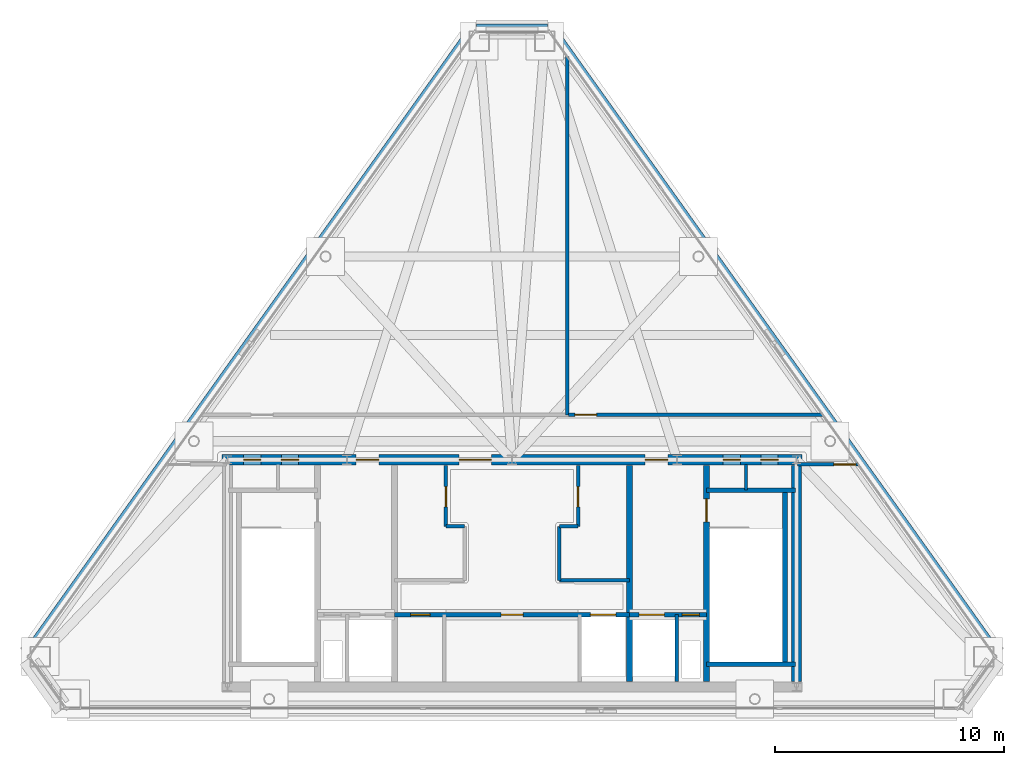
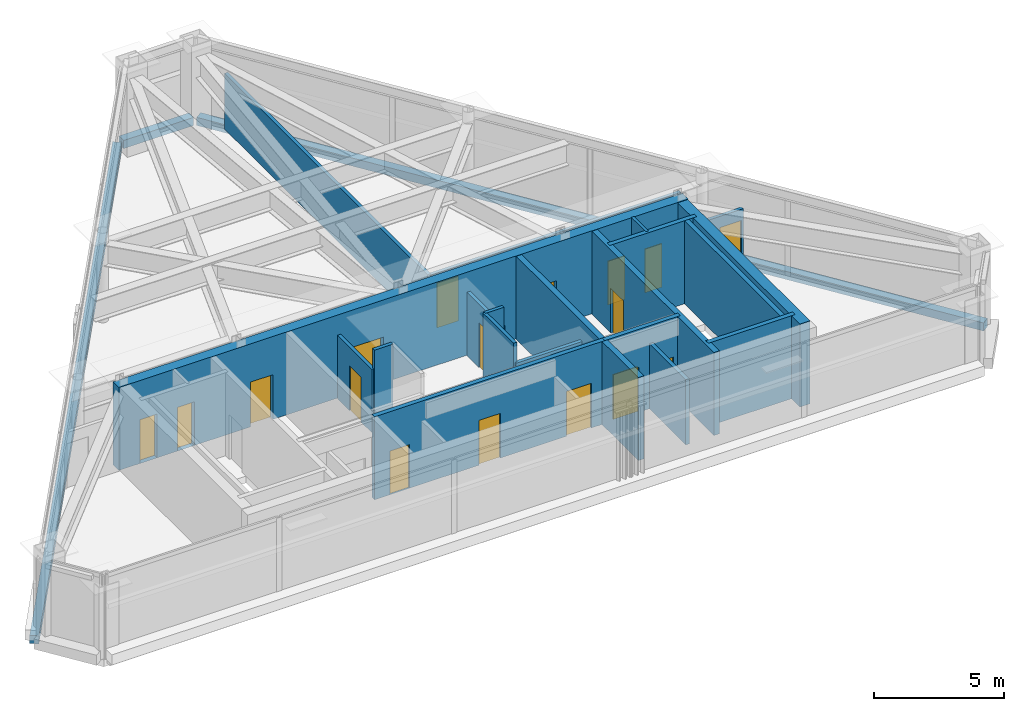
# One storey, part 5 of 7: 23 walls, 17 doors, 17 openings.
"""IFC4 building model written with IfcOpenShell, lengths in metres."""

from ifc_helpers import new_model, si_unit, direction, frame, frame_2d, origin, place, context, subcontext, project, spatial, rectangle, extrude, material, layer, layer_set, type_object, element, fill, save


model = new_model("IFC4")

# Units and contexts
model_context = context("Model", 3, precision=1e-05, world=origin(), true_north=direction((0.0, 1.0)))
body_context = subcontext(model_context, "Body", "Model", "MODEL_VIEW")
ifc_project = project(units=[si_unit("LENGTHUNIT", "METRE"), si_unit("AREAUNIT", "SQUARE_METRE"), si_unit("VOLUMEUNIT", "CUBIC_METRE"), si_unit("PLANEANGLEUNIT", "RADIAN"), si_unit("MASSUNIT", "GRAM", prefix="KILO")], contexts=[model_context])

# Site, building, storey
site_placement = place(None, origin())
site = spatial("IfcSite", under=ifc_project, at=site_placement, CompositionType="ELEMENT")
building_placement = place(site_placement, origin())
building = spatial("IfcBuilding", under=site, at=building_placement, Name="Talgorran Terracotta Tower", CompositionType="ELEMENT")
storey_placement = place(building_placement, frame((0.0, 0.0, 306.0)))
storey = spatial("IfcBuildingStorey", under=building, at=storey_placement, Name="L80", CompositionType="ELEMENT", Elevation=306.0)

# Walls
ifc_material_1 = material(Name="Concrete C50/60", Category="concrete")
ifc_layer_1 = layer(ifc_material_1, 0.199951171875, Name="WT_CORE_200")
ifc_layer_set_1 = layer_set([ifc_layer_1], Name="Concrete C50/60")
wall_type_1 = type_object("IfcWallType", Name="WT_CORE_200", PredefinedType="SOLIDWALL", material=ifc_layer_set_1)
for number, where, z_axis, x_axis, name in (
    (1, (8.47998046875, -5.52001953125, 0.0), (0.0, 0.0, 1.0), (1.0, 0.0, 0.0), "WL-L80-CW-ST2-N"),
    (2, (8.47998046875, -13.10009765625, 0.0), (0.0, 0.0, 1.0), (1.0, 0.0, 0.0), "WL-L80-CW-ST2-S"),
):
    element("IfcWall", number, at=place(storey_placement, frame(where, z_axis=z_axis, x_axis=x_axis)), inside=storey, type_object=wall_type_1, Name=name, PredefinedType="SOLIDWALL", context=body_context, shape_type="SweptSolid", body=[
        extrude(rectangle(XDim=3.8701171875, YDim=0.199951171875, at=frame_2d((1.93505859375, 0.0))), origin(), (0.0, 0.0, 1.0), 3.89990234375),
    ])
wall_1_placement = place(storey_placement, frame((11.89990234375, -13.10009765625, 0.0), z_axis=(0.0, 0.0, 1.0), x_axis=(0.0, 1.0, 0.0)))
element("IfcWall", 3, at=wall_1_placement, inside=storey, type_object=wall_type_1, Name="WL-L80-CW-ST2-E", PredefinedType="SOLIDWALL", context=body_context, shape_type="SweptSolid", body=[
    extrude(rectangle(XDim=7.580078125, YDim=0.199951171875, at=frame_2d((3.7900390625, 0.0))), origin(), (0.0, 0.0, 1.0), 3.89990234375),
])

# Wall, openings, doors
wall_2_placement = place(storey_placement, frame((-5.1201171875, -10.949951171875, 0.0), z_axis=(0.0, 0.0, 1.0), x_axis=(1.0, 0.0, 0.0)))
wall_2 = element("IfcWall", 4, at=wall_2_placement, inside=storey, type_object=wall_type_1, Name="WL-L80-CW-H-SBC", PredefinedType="SOLIDWALL", context=body_context, shape_type="SweptSolid", body=[
    extrude(rectangle(XDim=10.240234375, YDim=0.199951171875, at=frame_2d((5.1201171875, 0.0))), origin(), (0.0, 0.0, 1.0), 3.89990234375),
])
opening_1_placement = place(wall_2_placement, frame((0.699951171875, 0.0, 0.0)))
opening_1 = element("IfcOpeningElement", 5, at=opening_1_placement, cuts=wall_2, Name="Opening DR-CRTEL", PredefinedType="OPENING", context=body_context, shape_type="SweptSolid", body=[
    extrude(rectangle(XDim=0.85609765625, YDim=2.054048828125, at=frame_2d((0.425048828125, 1.027099609375))), frame((0.0, 0.10986328125, 0.0), z_axis=(0.0, -1.0, 0.0), x_axis=(1.0, 0.0, 0.0)), (0.0, 0.0, 1.0), 0.219970703125),
])
opening_2_placement = place(wall_2_placement, frame((4.64990234375, 0.0, 0.0)))
opening_2 = element("IfcOpeningElement", 6, at=opening_2_placement, cuts=wall_2, Name="Opening DR-FRPLH", PredefinedType="OPENING", context=body_context, shape_type="SweptSolid", body=[
    extrude(rectangle(XDim=0.955951171875, YDim=2.10409765625, at=frame_2d((0.47509765625, 1.052001953125))), frame((0.0, 0.10986328125, 0.0), z_axis=(0.0, -1.0, 0.0), x_axis=(1.0, 0.0, 0.0)), (0.0, 0.0, 1.0), 0.219970703125),
])
opening_3_placement = place(wall_2_placement, frame((8.5400390625, 0.0, 0.0)))
opening_3 = element("IfcOpeningElement", 7, at=opening_3_placement, cuts=wall_2, Name="Opening LD-SVL1", PredefinedType="OPENING", context=body_context, shape_type="SweptSolid", body=[
    extrude(rectangle(XDim=1.10609765625, YDim=2.10409765625, at=frame_2d((0.550048828125, 1.052001953125))), frame((0.0, 0.10986328125, 0.0), z_axis=(0.0, -1.0, 0.0), x_axis=(1.0, 0.0, 0.0)), (0.0, 0.0, 1.0), 0.219970703125),
])
ifc_material_2 = material(Name="Fire-Rated Pressed Steel", Category="steel")
door_type_1 = type_object("IfcDoorType", Name="DT_FIRE_850", OperationType="NOTDEFINED", PredefinedType="DOOR", material=ifc_material_2)
door_1_placement = place(opening_1_placement, origin())
door_1 = element("IfcDoor", 8, at=door_1_placement, inside=storey, type_object=door_type_1, Name="DR-CRTEL", OperationType="SINGLE_SWING_LEFT", OverallHeight=2.050048828125, OverallWidth=0.85009765625, PredefinedType="DOOR", context=body_context, shape_type="SweptSolid", body=[
    extrude(rectangle(XDim=0.85009765625, YDim=2.050048828125, at=frame_2d((0.425048828125, 1.02490234375))), frame((0.0, 0.02490234375, 0.0), z_axis=(0.0, -1.0, 0.0), x_axis=(1.0, 0.0, 0.0)), (0.0, 0.0, 1.0), 0.050048828125),
])
fill(opening_1, door_1)
ifc_material_3 = material(Name="Fire-Rated Timber Core", Category="wood")
door_type_2 = type_object("IfcDoorType", Name="DT_FIRE_950", OperationType="NOTDEFINED", PredefinedType="DOOR", material=ifc_material_3)
door_2_placement = place(opening_2_placement, origin())
door_2 = element("IfcDoor", 9, at=door_2_placement, inside=storey, type_object=door_type_2, Name="DR-FRPLH", OperationType="SINGLE_SWING_RIGHT", OverallHeight=2.10009765625, OverallWidth=0.949951171875, PredefinedType="DOOR", context=body_context, shape_type="SweptSolid", body=[
    extrude(rectangle(XDim=0.949951171875, YDim=2.10009765625, at=frame_2d((0.47509765625, 1.050048828125))), frame((0.0, 0.02490234375, 0.0), z_axis=(0.0, -1.0, 0.0), x_axis=(1.0, 0.0, 0.0)), (0.0, 0.0, 1.0), 0.050048828125),
])
fill(opening_2, door_2)
ifc_material_4 = material(Name="Brushed Stainless Steel Grade 304", Category="steel")
door_type_3 = type_object("IfcDoorType", Name="DT_LIFT_LD1100", OperationType="DOUBLE_DOOR_SLIDING", PredefinedType="DOOR", material=ifc_material_4)
door_3_placement = place(opening_3_placement, origin())
door_3 = element("IfcDoor", 10, at=door_3_placement, inside=storey, type_object=door_type_3, Name="L80 Lift Landing Door LD-SVL1", OperationType="DOUBLE_DOOR_SLIDING", OverallHeight=2.10009765625, OverallWidth=1.10009765625, PredefinedType="DOOR", context=body_context, shape_type="SweptSolid", body=[
    extrude(rectangle(XDim=1.10009765625, YDim=2.10009765625, at=frame_2d((0.550048828125, 1.050048828125))), frame((0.0, 0.02490234375, 0.0), z_axis=(0.0, -1.0, 0.0), x_axis=(1.0, 0.0, 0.0)), (0.0, 0.0, 1.0), 0.050048828125),
])
fill(opening_3, door_3)

wall_3_placement = place(storey_placement, frame((5.1201171875, -10.949951171875, 0.0), z_axis=(0.0, 0.0, 1.0), x_axis=(1.0, 0.0, 0.0)))
wall_3 = element("IfcWall", 11, at=wall_3_placement, inside=storey, type_object=wall_type_1, Name="WL-L80-CW-H-SBE", PredefinedType="SOLIDWALL", context=body_context, shape_type="SweptSolid", body=[
    extrude(rectangle(XDim=3.35986328125, YDim=0.199951171875, at=frame_2d((1.679931640625, 0.0))), origin(), (0.0, 0.0, 1.0), 3.89990234375),
])
opening_4_placement = place(wall_3_placement, frame((0.419921875, 0.0, 0.0)))
opening_4 = element("IfcOpeningElement", 12, at=opening_4_placement, cuts=wall_3, Name="Opening LD-FFL2", PredefinedType="OPENING", context=body_context, shape_type="SweptSolid", body=[
    extrude(rectangle(XDim=1.10609765625, YDim=2.10409765625, at=frame_2d((0.550048828125, 1.052001953125))), frame((0.0, 0.10986328125, 0.0), z_axis=(0.0, -1.0, 0.0), x_axis=(1.0, 0.0, 0.0)), (0.0, 0.0, 1.0), 0.219970703125),
])
opening_5_placement = place(wall_3_placement, frame((2.300048828125, 0.0, 0.0)))
opening_5 = element("IfcOpeningElement", 13, at=opening_5_placement, cuts=wall_3, Name="Opening DR-RSE", PredefinedType="OPENING", context=body_context, shape_type="SweptSolid", body=[
    extrude(rectangle(XDim=0.756, YDim=2.054048828125, at=frame_2d((0.375, 1.027099609375))), frame((0.0, 0.10986328125, 0.0), z_axis=(0.0, -1.0, 0.0), x_axis=(1.0, 0.0, 0.0)), (0.0, 0.0, 1.0), 0.219970703125),
])
door_4_placement = place(opening_4_placement, origin())
door_4 = element("IfcDoor", 14, at=door_4_placement, inside=storey, type_object=door_type_3, Name="L80 Lift Landing Door LD-FFL2", OperationType="DOUBLE_DOOR_SLIDING", OverallHeight=2.10009765625, OverallWidth=1.10009765625, PredefinedType="DOOR", context=body_context, shape_type="SweptSolid", body=[
    extrude(rectangle(XDim=1.10009765625, YDim=2.10009765625, at=frame_2d((0.550048828125, 1.050048828125))), frame((0.0, 0.02490234375, 0.0), z_axis=(0.0, -1.0, 0.0), x_axis=(1.0, 0.0, 0.0)), (0.0, 0.0, 1.0), 0.050048828125),
])
fill(opening_4, door_4)
door_type_4 = type_object("IfcDoorType", Name="DT_RISER_750", OperationType="NOTDEFINED", PredefinedType="DOOR", material=ifc_material_2)
door_5_placement = place(opening_5_placement, origin())
door_5 = element("IfcDoor", 15, at=door_5_placement, inside=storey, type_object=door_type_4, Name="DR-RSE", OperationType="SINGLE_SWING_RIGHT", OverallHeight=2.050048828125, OverallWidth=0.75, PredefinedType="DOOR", context=body_context, shape_type="SweptSolid", body=[
    extrude(rectangle(XDim=0.75, YDim=2.050048828125, at=frame_2d((0.375, 1.02490234375))), frame((0.0, 0.02490234375, 0.0), z_axis=(0.0, -1.0, 0.0), x_axis=(1.0, 0.0, 0.0)), (0.0, 0.0, 1.0), 0.050048828125),
])
fill(opening_5, door_5)

# Wall, opening, door
ifc_layer_2 = layer(ifc_material_1, 0.25, Name="WT_CORE_250")
ifc_layer_set_2 = layer_set([ifc_layer_2], Name="Concrete C50/60")
wall_type_2 = type_object("IfcWallType", Name="WT_CORE_250", PredefinedType="SHEAR", material=ifc_layer_set_2)
wall_4_placement = place(storey_placement, frame((8.47998046875, -13.85009765625, 0.0), z_axis=(0.0, 0.0, 1.0), x_axis=(0.0, 1.0, 0.0)))
wall_4 = element("IfcWall", 16, at=wall_4_placement, inside=storey, type_object=wall_type_2, Name="WL-L80-CW-V-E1", PredefinedType="SHEAR", context=body_context, shape_type="SweptSolid", body=[
    extrude(rectangle(XDim=9.400146484375, YDim=0.25, at=frame_2d((4.7001953125, 0.0))), origin(), (0.0, 0.0, 1.0), 3.89990234375),
])
opening_6_placement = place(wall_4_placement, frame((6.949951171875, 0.0, 0.0)))
opening_6 = element("IfcOpeningElement", 17, at=opening_6_placement, cuts=wall_4, Name="Opening DR-ST02", PredefinedType="OPENING", context=body_context, shape_type="SweptSolid", body=[
    extrude(rectangle(XDim=1.006, YDim=2.10409765625, at=frame_2d((0.5, 1.052001953125))), frame((0.0, 0.135009765625, 0.0), z_axis=(0.0, -1.0, 0.0), x_axis=(1.0, 0.0, 0.0)), (0.0, 0.0, 1.0), 0.27001953125),
])
door_type_5 = type_object("IfcDoorType", Name="DT_FIRE_1000", OperationType="NOTDEFINED", PredefinedType="DOOR", material=ifc_material_2)
door_6_placement = place(opening_6_placement, origin())
door_6 = element("IfcDoor", 18, at=door_6_placement, inside=storey, type_object=door_type_5, Name="DR-ST02", OperationType="SINGLE_SWING_RIGHT", OverallHeight=2.10009765625, OverallWidth=1.0, PredefinedType="DOOR", context=body_context, shape_type="SweptSolid", body=[
    extrude(rectangle(XDim=1.0, YDim=2.10009765625, at=frame_2d((0.5, 1.050048828125))), frame((0.0, 0.02490234375, 0.0), z_axis=(0.0, -1.0, 0.0), x_axis=(1.0, 0.0, 0.0)), (0.0, 0.0, 1.0), 0.050048828125),
])
fill(opening_6, door_6)

# Wall
wall_5_placement = place(storey_placement, frame((5.1201171875, -13.85009765625, 0.0), z_axis=(0.0, 0.0, 1.0), x_axis=(0.0, 1.0, 0.0)))
element("IfcWall", 19, at=wall_5_placement, inside=storey, type_object=wall_type_2, Name="WL-L80-CW-V-E2", PredefinedType="SHEAR", context=body_context, shape_type="SweptSolid", body=[
    extrude(rectangle(XDim=9.400146484375, YDim=0.25, at=frame_2d((4.7001953125, 0.0))), origin(), (0.0, 0.0, 1.0), 3.89990234375),
])

# Wall, openings, doors
ifc_material_5 = material(Name="Concrete C65/80", Category="concrete")
ifc_layer_3 = layer(ifc_material_5, 0.449951171875, Name="WT_CORE_EXT")
ifc_layer_set_3 = layer_set([ifc_layer_3], Name="Concrete C65/80")
wall_type_3 = type_object("IfcWallType", Name="WT_CORE_EXT", PredefinedType="SHEAR", material=ifc_layer_set_3)
wall_6_placement = place(storey_placement, frame((-12.64990234375, -4.199951171875, 0.0), z_axis=(0.0, 0.0, 1.0), x_axis=(1.0, 0.0, 0.0)))
wall_6 = element("IfcWall", 20, at=wall_6_placement, inside=storey, type_object=wall_type_3, Name="WL-L80-CW-OUT-N", PredefinedType="SHEAR", context=body_context, shape_type="SweptSolid", body=[
    extrude(rectangle(XDim=25.2998046875, YDim=0.449951171875, at=frame_2d((12.64990234375, 0.0))), origin(), (0.0, 0.0, 1.0), 3.89990234375),
])
opening_7_placement = place(wall_6_placement, frame((0.949951171875, 0.0, 0.0)))
opening_7 = element("IfcOpeningElement", 21, at=opening_7_placement, cuts=wall_6, Name="Opening DR-CSN1", PredefinedType="OPENING", context=body_context, shape_type="SweptSolid", body=[
    extrude(rectangle(XDim=0.756, YDim=2.054048828125, at=frame_2d((0.375, 1.027099609375))), frame((0.0, 0.23486328125, 0.0), z_axis=(0.0, -1.0, 0.0), x_axis=(1.0, 0.0, 0.0)), (0.0, 0.0, 1.0), 0.469970703125),
])
opening_8_placement = place(wall_6_placement, frame((2.60009765625, 0.0, 0.0)))
opening_8 = element("IfcOpeningElement", 22, at=opening_8_placement, cuts=wall_6, Name="Opening DR-CSN2", PredefinedType="OPENING", context=body_context, shape_type="SweptSolid", body=[
    extrude(rectangle(XDim=0.756, YDim=2.054048828125, at=frame_2d((0.375, 1.027099609375))), frame((0.0, 0.23486328125, 0.0), z_axis=(0.0, -1.0, 0.0), x_axis=(1.0, 0.0, 0.0)), (0.0, 0.0, 1.0), 0.469970703125),
])
opening_9_placement = place(wall_6_placement, frame((21.85009765625, 0.0, 0.0)))
opening_9 = element("IfcOpeningElement", 23, at=opening_9_placement, cuts=wall_6, Name="Opening DR-CSN3", PredefinedType="OPENING", context=body_context, shape_type="SweptSolid", body=[
    extrude(rectangle(XDim=0.756, YDim=2.054048828125, at=frame_2d((0.375, 1.027099609375))), frame((0.0, 0.23486328125, 0.0), z_axis=(0.0, -1.0, 0.0), x_axis=(1.0, 0.0, 0.0)), (0.0, 0.0, 1.0), 0.469970703125),
])
opening_10_placement = place(wall_6_placement, frame((23.5, 0.0, 0.0)))
opening_10 = element("IfcOpeningElement", 24, at=opening_10_placement, cuts=wall_6, Name="Opening DR-CSN4", PredefinedType="OPENING", context=body_context, shape_type="SweptSolid", body=[
    extrude(rectangle(XDim=0.756, YDim=2.054048828125, at=frame_2d((0.375, 1.027099609375))), frame((0.0, 0.23486328125, 0.0), z_axis=(0.0, -1.0, 0.0), x_axis=(1.0, 0.0, 0.0)), (0.0, 0.0, 1.0), 0.469970703125),
])
opening_11_placement = place(wall_6_placement, frame((5.85009765625, 0.0, 0.0)))
opening_11 = element("IfcOpeningElement", 25, at=opening_11_placement, cuts=wall_6, Name="Opening DR-FFLW-N", PredefinedType="OPENING", context=body_context, shape_type="SweptSolid", body=[
    extrude(rectangle(XDim=1.006, YDim=2.10409765625, at=frame_2d((0.5, 1.052001953125))), frame((0.0, 0.23486328125, 0.0), z_axis=(0.0, -1.0, 0.0), x_axis=(1.0, 0.0, 0.0)), (0.0, 0.0, 1.0), 0.469970703125),
])
opening_12_placement = place(wall_6_placement, frame((10.35009765625, 0.0, 0.0)))
opening_12 = element("IfcOpeningElement", 26, at=opening_12_placement, cuts=wall_6, Name="Opening DR-PLL-N", PredefinedType="OPENING", context=body_context, shape_type="SweptSolid", body=[
    extrude(rectangle(XDim=1.40590234375, YDim=2.15390234375, at=frame_2d((0.699951171875, 1.076904296875))), frame((0.0, 0.23486328125, 0.0), z_axis=(0.0, -1.0, 0.0), x_axis=(1.0, 0.0, 0.0)), (0.0, 0.0, 1.0), 0.469970703125),
])
opening_13_placement = place(wall_6_placement, frame((18.449951171875, 0.0, 0.0)))
opening_13 = element("IfcOpeningElement", 27, at=opening_13_placement, cuts=wall_6, Name="Opening DR-FFLE-N", PredefinedType="OPENING", context=body_context, shape_type="SweptSolid", body=[
    extrude(rectangle(XDim=1.006, YDim=2.10409765625, at=frame_2d((0.5, 1.052001953125))), frame((0.0, 0.23486328125, 0.0), z_axis=(0.0, -1.0, 0.0), x_axis=(1.0, 0.0, 0.0)), (0.0, 0.0, 1.0), 0.469970703125),
])
ifc_material_6 = material(Name="Acoustic Glazed Timber", Category="wood")
door_type_6 = type_object("IfcDoorType", Name="DT_DOUBLE_1400", OperationType="DOUBLE_DOOR_SINGLE_SWING", PredefinedType="DOOR", material=ifc_material_6)
door_7_placement = place(opening_12_placement, origin())
door_7 = element("IfcDoor", 28, at=door_7_placement, inside=storey, type_object=door_type_6, Name="DR-PLL-N", OperationType="DOUBLE_DOOR_SINGLE_SWING", OverallHeight=2.14990234375, OverallWidth=1.39990234375, PredefinedType="DOOR", context=body_context, shape_type="SweptSolid", body=[
    extrude(rectangle(XDim=1.39990234375, YDim=2.14990234375, at=frame_2d((0.699951171875, 1.074951171875))), frame((0.0, 0.02490234375, 0.0), z_axis=(0.0, -1.0, 0.0), x_axis=(1.0, 0.0, 0.0)), (0.0, 0.0, 1.0), 0.050048828125),
])
fill(opening_12, door_7)
door_8_placement = place(opening_11_placement, origin())
door_8 = element("IfcDoor", 29, at=door_8_placement, inside=storey, type_object=door_type_5, Name="DR-FFLW-N", OperationType="SINGLE_SWING_LEFT", OverallHeight=2.10009765625, OverallWidth=1.0, PredefinedType="DOOR", context=body_context, shape_type="SweptSolid", body=[
    extrude(rectangle(XDim=1.0, YDim=2.10009765625, at=frame_2d((0.5, 1.050048828125))), frame((0.0, 0.02490234375, 0.0), z_axis=(0.0, -1.0, 0.0), x_axis=(1.0, 0.0, 0.0)), (0.0, 0.0, 1.0), 0.050048828125),
])
fill(opening_11, door_8)
door_9_placement = place(opening_13_placement, origin())
door_9 = element("IfcDoor", 30, at=door_9_placement, inside=storey, type_object=door_type_5, Name="DR-FFLE-N", OperationType="SINGLE_SWING_RIGHT", OverallHeight=2.10009765625, OverallWidth=1.0, PredefinedType="DOOR", context=body_context, shape_type="SweptSolid", body=[
    extrude(rectangle(XDim=1.0, YDim=2.10009765625, at=frame_2d((0.5, 1.050048828125))), frame((0.0, 0.02490234375, 0.0), z_axis=(0.0, -1.0, 0.0), x_axis=(1.0, 0.0, 0.0)), (0.0, 0.0, 1.0), 0.050048828125),
])
fill(opening_13, door_9)
door_10_placement = place(opening_7_placement, origin())
door_10 = element("IfcDoor", 31, at=door_10_placement, inside=storey, type_object=door_type_4, Name="DR-CSN1", OperationType="SINGLE_SWING_LEFT", OverallHeight=2.050048828125, OverallWidth=0.75, PredefinedType="DOOR", context=body_context, shape_type="SweptSolid", body=[
    extrude(rectangle(XDim=0.75, YDim=2.050048828125, at=frame_2d((0.375, 1.02490234375))), frame((0.0, 0.02490234375, 0.0), z_axis=(0.0, -1.0, 0.0), x_axis=(1.0, 0.0, 0.0)), (0.0, 0.0, 1.0), 0.050048828125),
])
fill(opening_7, door_10)
door_11_placement = place(opening_8_placement, origin())
door_11 = element("IfcDoor", 32, at=door_11_placement, inside=storey, type_object=door_type_4, Name="DR-CSN2", OperationType="SINGLE_SWING_RIGHT", OverallHeight=2.050048828125, OverallWidth=0.75, PredefinedType="DOOR", context=body_context, shape_type="SweptSolid", body=[
    extrude(rectangle(XDim=0.75, YDim=2.050048828125, at=frame_2d((0.375, 1.02490234375))), frame((0.0, 0.02490234375, 0.0), z_axis=(0.0, -1.0, 0.0), x_axis=(1.0, 0.0, 0.0)), (0.0, 0.0, 1.0), 0.050048828125),
])
fill(opening_8, door_11)
door_12_placement = place(opening_9_placement, origin())
door_12 = element("IfcDoor", 33, at=door_12_placement, inside=storey, type_object=door_type_4, Name="DR-CSN3", OperationType="SINGLE_SWING_LEFT", OverallHeight=2.050048828125, OverallWidth=0.75, PredefinedType="DOOR", context=body_context, shape_type="SweptSolid", body=[
    extrude(rectangle(XDim=0.75, YDim=2.050048828125, at=frame_2d((0.375, 1.02490234375))), frame((0.0, 0.02490234375, 0.0), z_axis=(0.0, -1.0, 0.0), x_axis=(1.0, 0.0, 0.0)), (0.0, 0.0, 1.0), 0.050048828125),
])
fill(opening_9, door_12)
door_13_placement = place(opening_10_placement, origin())
door_13 = element("IfcDoor", 34, at=door_13_placement, inside=storey, type_object=door_type_4, Name="DR-CSN4", OperationType="SINGLE_SWING_RIGHT", OverallHeight=2.050048828125, OverallWidth=0.75, PredefinedType="DOOR", context=body_context, shape_type="SweptSolid", body=[
    extrude(rectangle(XDim=0.75, YDim=2.050048828125, at=frame_2d((0.375, 1.02490234375))), frame((0.0, 0.02490234375, 0.0), z_axis=(0.0, -1.0, 0.0), x_axis=(1.0, 0.0, 0.0)), (0.0, 0.0, 1.0), 0.050048828125),
])
fill(opening_10, door_13)

# Walls
wall_7_placement = place(storey_placement, frame((12.39990234375, -13.85009765625, 0.0), z_axis=(0.0, 0.0, 1.0), x_axis=(0.0, 1.0, 0.0)))
element("IfcWall", 35, at=wall_7_placement, inside=storey, type_object=wall_type_3, Name="WL-L80-CW-OUT-E", PredefinedType="SHEAR", context=body_context, shape_type="SweptSolid", body=[
    extrude(rectangle(XDim=9.400146484375, YDim=0.449951171875, at=frame_2d((4.7001953125, 0.0))), origin(), (0.0, 0.0, 1.0), 3.89990234375),
])
ifc_material_7 = material(Name="Fire-Rated Steel Stud Plasterboard", Category="steel")
ifc_layer_4 = layer(ifc_material_7, 0.14990234375, Name="WT_FIRE_150")
ifc_layer_set_4 = layer_set([ifc_layer_4], Name="Fire-Rated Steel Stud Plasterboard")
wall_type_4 = type_object("IfcWallType", Name="WT_FIRE_150", PredefinedType="PARTITIONING", material=ifc_layer_set_4)
wall_8_placement = place(storey_placement, frame((-2.8798828125, -7.10009765625, 0.0), z_axis=(0.0, 0.0, 1.0), x_axis=(1.0, 0.0, 0.0)))
element("IfcWall", 36, at=wall_8_placement, inside=storey, type_object=wall_type_4, Name="WL-L80-CW-H-W3M2", PredefinedType="PARTITIONING", context=body_context, shape_type="SweptSolid", body=[
    extrude(rectangle(XDim=0.81982421875, YDim=0.14990234375, at=frame_2d((0.409912109375, 0.0))), origin(), (0.0, 0.0, 1.0), 3.89990234375),
])

# Wall, opening, door
wall_9_placement = place(storey_placement, frame((-2.8798828125, -7.10009765625, 0.0), z_axis=(0.0, 0.0, 1.0), x_axis=(0.0, 1.0, 0.0)))
wall_9 = element("IfcWall", 37, at=wall_9_placement, inside=storey, type_object=wall_type_4, Name="WL-L80-CW-V-W3N", PredefinedType="PARTITIONING", context=body_context, shape_type="SweptSolid", body=[
    extrude(rectangle(XDim=2.650146484375, YDim=0.14990234375, at=frame_2d((1.3251953125, 0.0))), origin(), (0.0, 0.0, 1.0), 2.9765625),
])
opening_14_placement = place(wall_9_placement, frame((0.85009765625, 0.0, 0.0)))
opening_14 = element("IfcOpeningElement", 38, at=opening_14_placement, cuts=wall_9, Name="Opening DR-FRPLL-B", PredefinedType="OPENING", context=body_context, shape_type="SweptSolid", body=[
    extrude(rectangle(XDim=0.8858828125, YDim=2.10409765625, at=frame_2d((0.43994140625, 1.052001953125))), frame((0.0, 0.0849609375, 0.0), z_axis=(0.0, -1.0, 0.0), x_axis=(1.0, 0.0, 0.0)), (0.0, 0.0, 1.0), 0.169921875),
])
ifc_material_8 = material(Name="Solid-Core Painted Timber", Category="wood")
door_type_7 = type_object("IfcDoorType", Name="DT_INT_880", OperationType="NOTDEFINED", PredefinedType="DOOR", material=ifc_material_8)
door_14_placement = place(opening_14_placement, origin())
door_14 = element("IfcDoor", 39, at=door_14_placement, inside=storey, type_object=door_type_7, Name="DR-FRPLL-B", OperationType="SINGLE_SWING_LEFT", OverallHeight=2.10009765625, OverallWidth=0.8798828125, PredefinedType="DOOR", context=body_context, shape_type="SweptSolid", body=[
    extrude(rectangle(XDim=0.8798828125, YDim=2.10009765625, at=frame_2d((0.43994140625, 1.050048828125))), frame((0.0, 0.02490234375, 0.0), z_axis=(0.0, -1.0, 0.0), x_axis=(1.0, 0.0, 0.0)), (0.0, 0.0, 1.0), 0.050048828125),
])
fill(opening_14, door_14)

# Walls
wall_10_placement = place(storey_placement, frame((2.06005859375, -9.449951171875, 0.0), z_axis=(0.0, 0.0, 1.0), x_axis=(1.0, 0.0, 0.0)))
element("IfcWall", 40, at=wall_10_placement, inside=storey, type_object=wall_type_4, Name="WL-L80-CW-H-E4N", PredefinedType="PARTITIONING", context=body_context, shape_type="SweptSolid", body=[
    extrude(rectangle(XDim=3.06005859375, YDim=0.14990234375, at=frame_2d((1.530029296875, 0.0))), origin(), (0.0, 0.0, 1.0), 2.9765625),
])
wall_11_placement = place(storey_placement, frame((2.06005859375, -9.449951171875, 0.0), z_axis=(0.0, 0.0, 1.0), x_axis=(0.0, 1.0, 0.0)))
element("IfcWall", 41, at=wall_11_placement, inside=storey, type_object=wall_type_4, Name="WL-L80-CW-V-E3S2", PredefinedType="PARTITIONING", context=body_context, shape_type="SweptSolid", body=[
    extrude(rectangle(XDim=2.349853515625, YDim=0.14990234375, at=frame_2d((1.1748046875, 0.0))), origin(), (0.0, 0.0, 1.0), 3.89990234375),
])
wall_12_placement = place(storey_placement, frame((2.06005859375, -7.10009765625, 0.0), z_axis=(0.0, 0.0, 1.0), x_axis=(1.0, 0.0, 0.0)))
element("IfcWall", 42, at=wall_12_placement, inside=storey, type_object=wall_type_4, Name="WL-L80-CW-H-E3M2", PredefinedType="PARTITIONING", context=body_context, shape_type="SweptSolid", body=[
    extrude(rectangle(XDim=0.81982421875, YDim=0.14990234375, at=frame_2d((0.409912109375, 0.0))), origin(), (0.0, 0.0, 1.0), 3.89990234375),
])

# Wall, opening, door
wall_13_placement = place(storey_placement, frame((2.8798828125, -7.10009765625, 0.0), z_axis=(0.0, 0.0, 1.0), x_axis=(0.0, 1.0, 0.0)))
wall_13 = element("IfcWall", 43, at=wall_13_placement, inside=storey, type_object=wall_type_4, Name="WL-L80-CW-V-E3N", PredefinedType="PARTITIONING", context=body_context, shape_type="SweptSolid", body=[
    extrude(rectangle(XDim=2.650146484375, YDim=0.14990234375, at=frame_2d((1.3251953125, 0.0))), origin(), (0.0, 0.0, 1.0), 2.9765625),
])
opening_15_placement = place(wall_13_placement, frame((0.85009765625, 0.0, 0.0)))
opening_15 = element("IfcOpeningElement", 44, at=opening_15_placement, cuts=wall_13, Name="Opening DR-FRPLM-B", PredefinedType="OPENING", context=body_context, shape_type="SweptSolid", body=[
    extrude(rectangle(XDim=0.8858828125, YDim=2.10409765625, at=frame_2d((0.43994140625, 1.052001953125))), frame((0.0, 0.0849609375, 0.0), z_axis=(0.0, -1.0, 0.0), x_axis=(1.0, 0.0, 0.0)), (0.0, 0.0, 1.0), 0.169921875),
])
door_15_placement = place(opening_15_placement, origin())
door_15 = element("IfcDoor", 45, at=door_15_placement, inside=storey, type_object=door_type_7, Name="DR-FRPLM-B", OperationType="SINGLE_SWING_RIGHT", OverallHeight=2.10009765625, OverallWidth=0.8798828125, PredefinedType="DOOR", context=body_context, shape_type="SweptSolid", body=[
    extrude(rectangle(XDim=0.8798828125, YDim=2.10009765625, at=frame_2d((0.43994140625, 1.050048828125))), frame((0.0, 0.02490234375, 0.0), z_axis=(0.0, -1.0, 0.0), x_axis=(1.0, 0.0, 0.0)), (0.0, 0.0, 1.0), 0.050048828125),
])
fill(opening_15, door_15)

# Wall
wall_14_placement = place(storey_placement, frame((2.39990234375, -2.239990234375, 0.0), z_axis=(0.0, 0.0, 1.0), x_axis=(0.0, 1.0, 0.0)))
element("IfcWall", 46, at=wall_14_placement, inside=storey, type_object=wall_type_4, Name="WL-L80-W-L80-R05", PredefinedType="PARTITIONING", context=body_context, shape_type="SweptSolid", body=[
    extrude(rectangle(XDim=15.619140625, YDim=0.14990234375, at=frame_2d((7.8095703125, 0.0))), origin(), (0.0, 0.0, 1.0), 2.625),
])

# Wall, opening, door
wall_15_placement = place(storey_placement, frame((2.4619140625, -2.239990234375, 0.0), z_axis=(0.0, 0.0, 1.0), x_axis=(1.0, 0.0, 0.0)))
wall_15 = element("IfcWall", 47, at=wall_15_placement, inside=storey, type_object=wall_type_4, Name="WL-L80-W-L80-R04", PredefinedType="PARTITIONING", context=body_context, shape_type="SweptSolid", body=[
    extrude(rectangle(XDim=11.080810546875, YDim=0.14990234375, at=frame_2d((5.54052734375, 0.0))), origin(), (0.0, 0.0, 1.0), 2.625),
])
opening_16_placement = place(wall_15_placement, frame((0.27783203125, 0.0, 0.0)))
opening_16 = element("IfcOpeningElement", 48, at=opening_16_placement, cuts=wall_15, Name="Opening DR-L80-R04", PredefinedType="OPENING", context=body_context, shape_type="SweptSolid", body=[
    extrude(rectangle(XDim=0.955951171875, YDim=2.10409765625, at=frame_2d((0.47509765625, 1.052001953125))), frame((0.0, 0.0849609375, 0.0), z_axis=(0.0, -1.0, 0.0), x_axis=(1.0, 0.0, 0.0)), (0.0, 0.0, 1.0), 0.169921875),
])
door_16_placement = place(opening_16_placement, origin())
door_16 = element("IfcDoor", 49, at=door_16_placement, inside=storey, type_object=door_type_2, Name="DR-L80-R04", OperationType="SINGLE_SWING_RIGHT", OverallHeight=2.10009765625, OverallWidth=0.949951171875, PredefinedType="DOOR", context=body_context, shape_type="SweptSolid", body=[
    extrude(rectangle(XDim=0.949951171875, YDim=2.10009765625, at=frame_2d((0.47509765625, 1.050048828125))), frame((0.0, 0.02490234375, 0.0), z_axis=(0.0, -1.0, 0.0), x_axis=(1.0, 0.0, 0.0)), (0.0, 0.0, 1.0), 0.050048828125),
])
fill(opening_16, door_16)

wall_16_placement = place(storey_placement, frame((12.43994140625, -4.39990234375, 0.0), z_axis=(0.0, 0.0, 1.0), x_axis=(1.0, 0.0, 0.0)))
wall_16 = element("IfcWall", 50, at=wall_16_placement, inside=storey, type_object=wall_type_4, Name="WL-L80-W-L80-R02", PredefinedType="PARTITIONING", context=body_context, shape_type="SweptSolid", body=[
    extrude(rectangle(XDim=2.6435546875, YDim=0.14990234375, at=frame_2d((1.32177734375, 0.0))), origin(), (0.0, 0.0, 1.0), 2.625),
])
opening_17_placement = place(wall_16_placement, frame((1.593505859375, 0.0, 0.0)))
opening_17 = element("IfcOpeningElement", 51, at=opening_17_placement, cuts=wall_16, Name="Opening DR-L80-R02", PredefinedType="OPENING", context=body_context, shape_type="SweptSolid", body=[
    extrude(rectangle(XDim=0.955951171875, YDim=2.10409765625, at=frame_2d((0.47509765625, 1.052001953125))), frame((0.0, 0.0849609375, 0.0), z_axis=(0.0, -1.0, 0.0), x_axis=(1.0, 0.0, 0.0)), (0.0, 0.0, 1.0), 0.169921875),
])
door_17_placement = place(opening_17_placement, origin())
door_17 = element("IfcDoor", 52, at=door_17_placement, inside=storey, type_object=door_type_2, Name="DR-L80-R02", OperationType="SINGLE_SWING_RIGHT", OverallHeight=2.10009765625, OverallWidth=0.949951171875, PredefinedType="DOOR", context=body_context, shape_type="SweptSolid", body=[
    extrude(rectangle(XDim=0.949951171875, YDim=2.10009765625, at=frame_2d((0.47509765625, 1.050048828125))), frame((0.0, 0.02490234375, 0.0), z_axis=(0.0, -1.0, 0.0), x_axis=(1.0, 0.0, 0.0)), (0.0, 0.0, 1.0), 0.050048828125),
])
fill(opening_17, door_17)

# Walls
ifc_material_9 = material(Name="Concrete C40/50", Category="concrete")
ifc_layer_5 = layer(ifc_material_9, 0.219970703125, Name="WT_PARAPET_RC")
ifc_layer_set_5 = layer_set([ifc_layer_5], Name="Concrete C40/50")
wall_type_5 = type_object("IfcWallType", Name="WT_PARAPET_RC", PredefinedType="PARAPET", material=ifc_layer_set_5)
wall_17_placement = place(storey_placement, frame((21.141845703125, -12.61669921875, -0.199951171875), z_axis=(0.0, 0.0, 1.0), x_axis=(-0.580755919834, 0.814077736815, 0.0)))
element("IfcWall", 53, at=wall_17_placement, inside=storey, type_object=wall_type_5, Name="L80 Striped Portal Precast Cornice F3", PredefinedType="PARAPET", context=body_context, shape_type="SweptSolid", body=[
    extrude(rectangle(XDim=33.2880859375, YDim=0.360107421875, at=frame_2d((16.64404296875, 0.0))), origin(), (0.0, 0.0, 1.0), 0.3798828125),
])
wall_18_placement = place(storey_placement, frame((1.552734375, 14.614501953125, -0.199951171875), z_axis=(0.0, 0.0, 1.0), x_axis=(-1.0, 0.0, 0.0)))
element("IfcWall", 54, at=wall_18_placement, inside=storey, type_object=wall_type_5, Name="L80 Striped Portal Precast Cornice F4", PredefinedType="PARAPET", context=body_context, shape_type="SweptSolid", body=[
    extrude(rectangle(XDim=3.10546875, YDim=0.360107421875, at=frame_2d((1.552734375, 0.0))), origin(), (0.0, 0.0, 1.0), 0.3798828125),
])
wall_19_placement = place(storey_placement, frame((-1.8095703125, 14.482421875, -0.199951171875), z_axis=(0.0, 0.0, 1.0), x_axis=(-0.580755919834, -0.814077736815, 0.0)))
element("IfcWall", 55, at=wall_19_placement, inside=storey, type_object=wall_type_5, Name="L80 Striped Portal Precast Cornice F5", PredefinedType="PARAPET", context=body_context, shape_type="SweptSolid", body=[
    extrude(rectangle(XDim=33.2880859375, YDim=0.360107421875, at=frame_2d((16.64404296875, 0.0))), origin(), (0.0, 0.0, 1.0), 0.3798828125),
])
ifc_material_10 = material(Name="Insulated Steel Stud Plasterboard", Category="steel")
ifc_layer_6 = layer(ifc_material_10, 0.1201171875, Name="WT_PART_120")
ifc_layer_set_6 = layer_set([ifc_layer_6], Name="Insulated Steel Stud Plasterboard")
wall_type_6 = type_object("IfcWallType", Name="WT_PART_120", PredefinedType="PARTITIONING", material=ifc_layer_set_6)
wall_20_placement = place(storey_placement, frame((10.199951171875, -5.52001953125, 0.0), z_axis=(0.0, 0.0, 1.0), x_axis=(0.0, 1.0, 0.0)))
element("IfcWall", 56, at=wall_20_placement, inside=storey, type_object=wall_type_6, Name="WL-L80-CW-CSE-DIV", PredefinedType="PARTITIONING", context=body_context, shape_type="SweptSolid", body=[
    extrude(rectangle(XDim=1.1201171875, YDim=0.1201171875, at=frame_2d((0.56005859375, 0.0))), origin(), (0.0, 0.0, 1.0), 3.89990234375),
])
ifc_material_11 = material(Name="Fire-Rated Shaftwall")
ifc_layer_7 = layer(ifc_material_11, 0.159912109375, Name="WT_PART_150")
ifc_layer_set_7 = layer_set([ifc_layer_7], Name="Fire-Rated Shaftwall")
wall_type_7 = type_object("IfcWallType", Name="WT_PART_150", PredefinedType="PARTITIONING", material=ifc_layer_set_7)
wall_21_placement = place(storey_placement, frame((7.179931640625, -13.85009765625, 0.0), z_axis=(0.0, 0.0, 1.0), x_axis=(0.0, 1.0, 0.0)))
element("IfcWall", 57, at=wall_21_placement, inside=storey, type_object=wall_type_7, Name="WL-L80-CW-RSE", PredefinedType="PARTITIONING", context=body_context, shape_type="SweptSolid", body=[
    extrude(rectangle(XDim=2.900146484375, YDim=0.159912109375, at=frame_2d((1.4501953125, 0.0))), origin(), (0.0, 0.0, 1.0), 3.06494140625),
])

save(model, "model.ifc")
